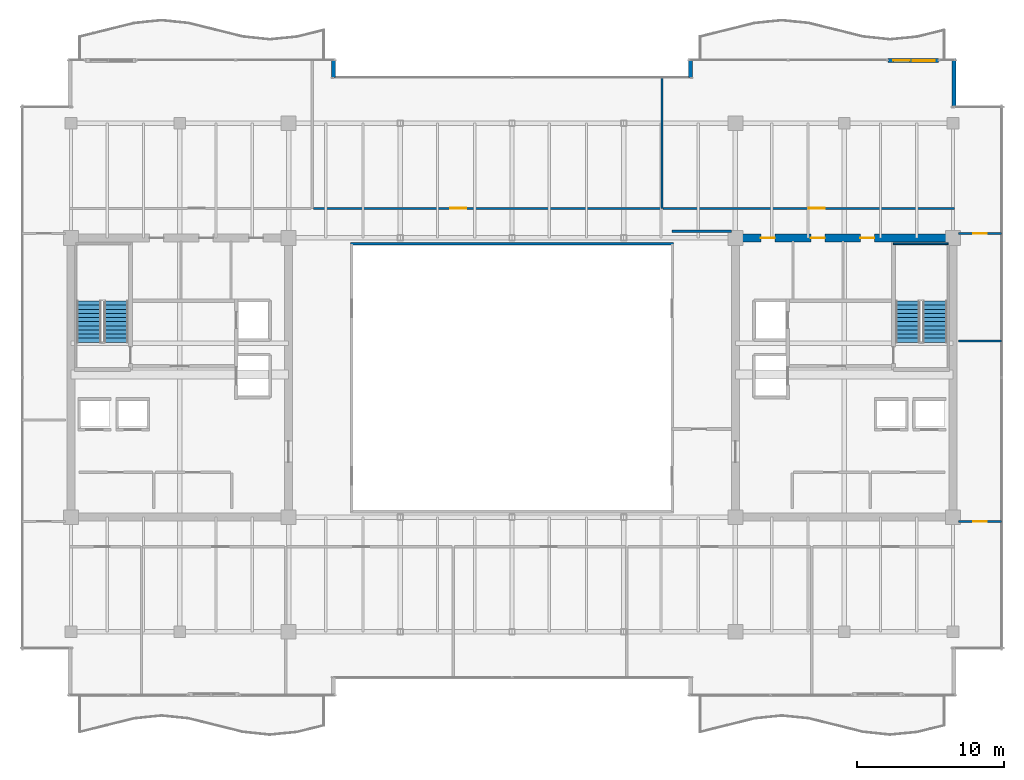
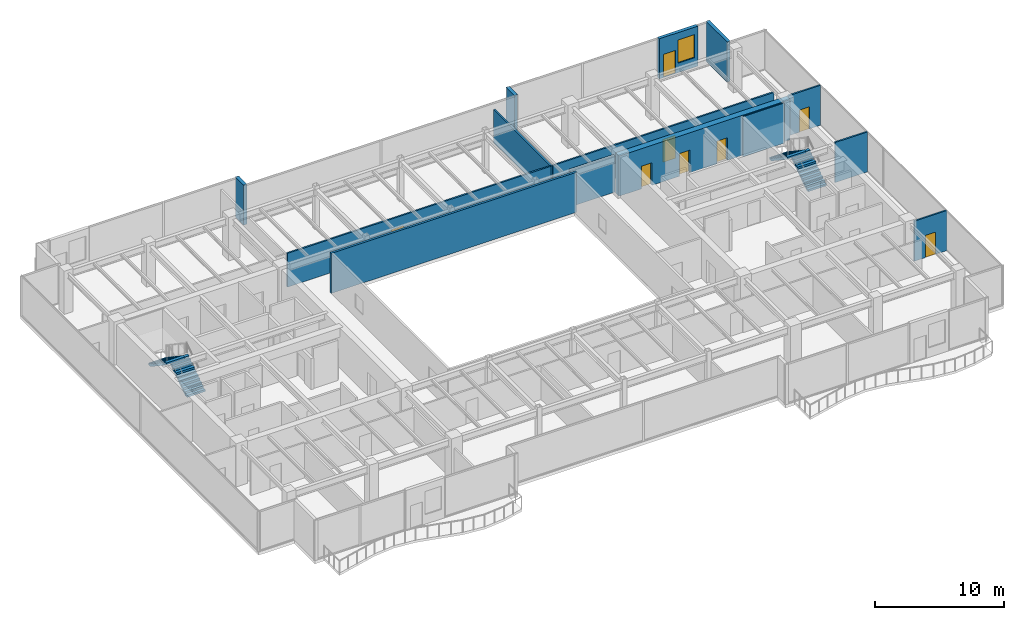
# One storey, part 31 of 34: 14 walls, 8 doors, 4 stair flights, 1 window, 9 openings, 2 elements without a shape of their own.
"""IFC4 building model written with IfcOpenShell, lengths in metres."""

from ifc_helpers import new_model, si_unit, direction, frame, frame_2d, origin, place, context, subcontext, project, spatial, polyline, rectangle, outline, extrude, source, transform, mapped, material, layer, layer_set, type_object, type_shapes, element, fill, aggregate, save


model = new_model("IFC4")

# Units and contexts
model_context = context("Model", 3, precision=1e-05, world=origin(), true_north=direction((0.0, 1.0)))
body_context = subcontext(model_context, "Body", "Model", "MODEL_VIEW")
ifc_project = project(units=[si_unit("LENGTHUNIT", "METRE"), si_unit("AREAUNIT", "SQUARE_METRE"), si_unit("VOLUMEUNIT", "CUBIC_METRE"), si_unit("PLANEANGLEUNIT", "RADIAN"), si_unit("MASSUNIT", "GRAM", prefix="KILO")], contexts=[model_context])

# Site, building, storey
site_placement = place(None, origin())
site = spatial("IfcSite", under=ifc_project, at=site_placement, CompositionType="ELEMENT")
building_placement = place(site_placement, origin())
building = spatial("IfcBuilding", under=site, at=building_placement, Name="Haelvirn Gate Laboratories", CompositionType="ELEMENT")
storey_placement = place(building_placement, frame((0.0, 0.0, 205.5)))
storey = spatial("IfcBuildingStorey", under=building, at=storey_placement, Name="L49", CompositionType="ELEMENT", Elevation=205.5)

# Wall, openings, door, window
ifc_material_1 = material(Name="Thermally-broken bronze aluminium rainscreen & mineral wool", Category="aluminium")
ifc_layer_1 = layer(ifc_material_1, 0.280029296875, Name="EW-TERR-280")
ifc_layer_set_1 = layer_set([ifc_layer_1], Name="Thermally-broken bronze aluminium rainscreen & mineral wool")
wall_type_1 = type_object("IfcWallType", Name="EW-TERR-280", PredefinedType="STANDARD", material=ifc_layer_set_1)
wall_1_placement = place(storey_placement, frame((62.971923828125, 45.860107421875, 0.0), z_axis=(0.0, 0.0, 1.0), x_axis=(1.0, 0.0, 0.0)))
wall_1 = element("IfcWall", 1, at=wall_1_placement, inside=storey, type_object=wall_type_1, Name="L49 Terrace Access Wall WB-EL-N", PredefinedType="STANDARD", context=body_context, shape_type="SweptSolid", body=[
    extrude(rectangle(XDim=3.4560546875, YDim=0.280029296875, at=frame_2d((1.72802734375, 0.0))), origin(), (0.0, 0.0, 1.0), 3.800048828125),
])
opening_1_placement = place(wall_1_placement, frame((0.3779296875, 0.0, 0.0)))
opening_1 = element("IfcOpeningElement", 2, at=opening_1_placement, cuts=wall_1, Name="Opening TD1", PredefinedType="OPENING", context=body_context, shape_type="SweptSolid", body=[
    extrude(rectangle(XDim=1.10009765625, YDim=2.199951171875, at=frame_2d((0.550048828125, 1.10009765625))), frame((0.0, 0.14990234375, 0.0), z_axis=(0.0, -1.0, 0.0), x_axis=(1.0, 0.0, 0.0)), (0.0, 0.0, 1.0), 0.300048828125),
])
opening_2_placement = place(wall_1_placement, frame((1.677978515625, 0.0, 0.89990234375)))
opening_2 = element("IfcOpeningElement", 3, at=opening_2_placement, cuts=wall_1, Name="Opening W3", PredefinedType="OPENING", context=body_context, shape_type="SweptSolid", body=[
    extrude(rectangle(XDim=1.5, YDim=2.199951171875, at=frame_2d((0.75, 1.10009765625))), frame((0.0, 0.14990234375, 0.0), z_axis=(0.0, -1.0, 0.0), x_axis=(1.0, 0.0, 0.0)), (0.0, 0.0, 1.0), 0.300048828125),
])
ifc_material_2 = material(Name="Thermally-broken bronze aluminium glazed terrace door", Category="aluminium")
door_type_1 = type_object("IfcDoorType", Name="DR-TERR-1100", OperationType="NOTDEFINED", PredefinedType="DOOR", material=ifc_material_2)
shared_shape_1 = source(origin(), body_context, "Body", "SweptSolid", [
    extrude(rectangle(XDim=1.10009765625, YDim=2.199951171875, at=frame_2d((0.550048828125, 1.10009765625))), frame((0.0, 0.02490234375, 0.0), z_axis=(0.0, -1.0, 0.0), x_axis=(1.0, 0.0, 0.0)), (0.0, 0.0, 1.0), 0.050048828125),
])
type_shapes(door_type_1, [shared_shape_1])
door_1_placement = place(opening_1_placement, origin())
door_1 = element("IfcDoor", 4, at=door_1_placement, inside=storey, type_object=door_type_1, Name="L49 Terrace Access Door WB-EL-N", OperationType="SINGLE_SWING_RIGHT", OverallHeight=2.199951171875, OverallWidth=1.10009765625, PredefinedType="DOOR", context=body_context, shape_type="MappedRepresentation", body=[
    mapped(shared_shape_1, transform((0.0, 0.0, 0.0), scale=1.0)),
])
fill(opening_1, door_1)
ifc_material_3 = material(Name="Bronze anodised aluminium & triple low-E glass", Category="aluminium")
window_type = type_object("IfcWindowType", Name="WIN-TERR-1600", PartitioningType="SINGLE_PANEL", PredefinedType="WINDOW", material=ifc_material_3)
shared_shape_2 = source(origin(), body_context, "Body", "SweptSolid", [
    extrude(rectangle(XDim=1.5, YDim=2.199951171875, at=frame_2d((0.75, 1.10009765625))), frame((0.0, 0.030029296875, 0.0), z_axis=(0.0, -1.0, 0.0), x_axis=(1.0, 0.0, 0.0)), (0.0, 0.0, 1.0), 0.06005859375),
])
type_shapes(window_type, [shared_shape_2])
window_placement = place(opening_2_placement, origin())
window = element("IfcWindow", 5, at=window_placement, inside=storey, type_object=window_type, Name="L49 Terrace Vision Window WB-EL-N", OverallHeight=2.199951171875, OverallWidth=1.5, PartitioningType="SINGLE_PANEL", PredefinedType="WINDOW", context=body_context, shape_type="MappedRepresentation", body=[
    mapped(shared_shape_2, transform((0.0, 0.0, 0.0), scale=1.0)),
])
fill(opening_2, window)

# Walls
wall_2_placement = place(storey_placement, frame((67.4599609375, 42.7119140625, 0.0), z_axis=(0.0, 0.0, 1.0), x_axis=(0.0, 1.0, 0.0)))
element("IfcWall", 6, at=wall_2_placement, inside=storey, type_object=wall_type_1, Name="L49 Atrium Recess Bronze Return Wall 09", PredefinedType="STANDARD", context=body_context, shape_type="SweptSolid", body=[
    extrude(rectangle(XDim=3.2880859375, YDim=0.280029296875, at=frame_2d((1.64404296875, 0.0))), origin(), (0.0, 0.0, 1.0), 3.800048828125),
])
for number, where, z_axis, x_axis, name in (
    (7, (49.5400390625, 46.0, 0.0), (0.0, 0.0, 1.0), (0.0, -1.0, 0.0), "L49 Atrium Recess Bronze Return Wall 11"),
    (8, (25.260009765625, 44.70703125, 0.0), (0.0, 0.0, 1.0), (0.0, 1.0, 0.0), "L49 Atrium Recess Bronze Return Wall 13"),
):
    element("IfcWall", number, at=place(storey_placement, frame(where, z_axis=z_axis, x_axis=x_axis)), inside=storey, type_object=wall_type_1, Name=name, PredefinedType="STANDARD", context=body_context, shape_type="SweptSolid", body=[
        extrude(rectangle(XDim=1.29296875, YDim=0.280029296875, at=frame_2d((0.646484375, 0.0))), origin(), (0.0, 0.0, 1.0), 3.800048828125),
    ])
ifc_material_4 = material(Name="Double-layer acoustic gypsum laboratory partition", Category="gypsum")
ifc_layer_2 = layer(ifc_material_4, 0.159912109375, Name="IW-ACOUST-160")
ifc_layer_set_2 = layer_set([ifc_layer_2], Name="Double-layer acoustic gypsum laboratory partition")
wall_type_2 = type_object("IfcWallType", Name="IW-ACOUST-160", PredefinedType="PARTITIONING", material=ifc_layer_set_2)
wall_3_placement = place(storey_placement, frame((47.60009765625, 35.81005859375, 0.0), z_axis=(0.0, 0.0, 1.0), x_axis=(0.0, 1.0, 0.0)))
element("IfcWall", 9, at=wall_3_placement, inside=storey, type_object=wall_type_2, Name="L49 Interior Wall IW-L49-NDIV-02", PredefinedType="PARTITIONING", context=body_context, shape_type="SweptSolid", body=[
    extrude(rectangle(XDim=8.8798828125, YDim=0.159912109375, at=frame_2d((4.43994140625, 0.0))), origin(), (0.0, 0.0, 1.0), 3.135009765625),
])
ifc_material_5 = material(Name="Fire-rated acoustic gypsum board partition", Category="gypsum")
ifc_layer_3 = layer(ifc_material_5, 0.175048828125, Name="IW-ACOUST-180")
ifc_layer_set_3 = layer_set([ifc_layer_3], Name="Fire-rated acoustic gypsum board partition")
wall_type_3 = type_object("IfcWallType", Name="IW-ACOUST-180", PredefinedType="PARTITIONING", material=ifc_layer_set_3)
wall_4_placement = place(storey_placement, frame((48.300048828125, 34.260009765625, 0.0), z_axis=(0.0, 0.0, 1.0), x_axis=(1.0, 0.0, 0.0)))
element("IfcWall", 10, at=wall_4_placement, inside=storey, type_object=wall_type_3, Name="L49 Interior Wall IW-L49-EPOD-N", PredefinedType="PARTITIONING", context=body_context, shape_type="SweptSolid", body=[
    extrude(rectangle(XDim=4.02490234375, YDim=0.175048828125, at=frame_2d((2.012451171875, 0.0))), origin(), (0.0, 0.0, 1.0), 3.485107421875),
])
ifc_material_6 = material(Name="Tempered fire-rated borosilicate glass & anodised aluminium", Category="aluminium")
ifc_layer_4 = layer(ifc_material_6, 0.195068359375, Name="IW-GLAZ-200")
ifc_layer_set_4 = layer_set([ifc_layer_4], Name="Tempered fire-rated borosilicate glass & anodised aluminium")
wall_type_4 = type_object("IfcWallType", Name="IW-GLAZ-200", PredefinedType="SOLIDWALL", material=ifc_layer_set_4)
wall_5_placement = place(storey_placement, frame((26.39990234375, 33.39990234375, 0.0), z_axis=(0.0, 0.0, 1.0), x_axis=(1.0, 0.0, 0.0)))
element("IfcWall", 11, at=wall_5_placement, inside=storey, type_object=wall_type_4, Name="L49 Interior Wall IW-L49-ATRIUM-N", PredefinedType="SOLIDWALL", context=body_context, shape_type="SweptSolid", body=[
    extrude(rectangle(XDim=22.0, YDim=0.195068359375, at=frame_2d((11.0, 0.0))), origin(), (0.0, 0.0, 1.0), 3.800048828125),
])

# Wall, opening, door
ifc_material_7 = material(Name="Acoustic mineral-wool gypsum board partition", Category="gypsum")
ifc_layer_5 = layer(ifc_material_7, 0.139892578125, Name="IW-PART-140")
ifc_layer_set_5 = layer_set([ifc_layer_5], Name="Acoustic mineral-wool gypsum board partition")
wall_type_5 = type_object("IfcWallType", Name="IW-PART-140", PredefinedType="PARTITIONING", material=ifc_layer_set_5)
wall_6_placement = place(storey_placement, frame((23.8798828125, 35.81005859375, 0.0), z_axis=(0.0, 0.0, 1.0), x_axis=(1.0, 0.0, 0.0)))
wall_6 = element("IfcWall", 12, at=wall_6_placement, inside=storey, type_object=wall_type_5, Name="L49 Interior Wall IW-L49-NCORR-02", PredefinedType="PARTITIONING", context=body_context, shape_type="SweptSolid", body=[
    extrude(rectangle(XDim=23.64013671875, YDim=0.139892578125, at=frame_2d((11.820068359375, 0.0))), origin(), (0.0, 0.0, 1.0), 3.197021484375),
])
opening_3_placement = place(wall_6_placement, frame((9.304443359375, 0.0, 0.0)))
opening_3 = element("IfcOpeningElement", 13, at=opening_3_placement, cuts=wall_6, Name="Opening D1", PredefinedType="OPENING", context=body_context, shape_type="SweptSolid", body=[
    extrude(rectangle(XDim=1.10009765625, YDim=2.179931640625, at=frame_2d((0.550048828125, 1.08984375))), frame((0.0, 0.080078125, 0.0), z_axis=(0.0, -1.0, 0.0), x_axis=(1.0, 0.0, 0.0)), (0.0, 0.0, 1.0), 0.159912109375),
])
ifc_material_8 = material(Name="Vision-panel acoustic solid-core timber lab door", Category="wood")
door_type_2 = type_object("IfcDoorType", Name="DR-LAB-1100", OperationType="NOTDEFINED", PredefinedType="DOOR", material=ifc_material_8)
shared_shape_3 = source(origin(), body_context, "Body", "SweptSolid", [
    extrude(rectangle(XDim=1.10009765625, YDim=2.179931640625, at=frame_2d((0.550048828125, 1.08984375))), frame((0.0, 0.02490234375, 0.0), z_axis=(0.0, -1.0, 0.0), x_axis=(1.0, 0.0, 0.0)), (0.0, 0.0, 1.0), 0.050048828125),
])
type_shapes(door_type_2, [shared_shape_3])
door_2_placement = place(opening_3_placement, origin())
door_2 = element("IfcDoor", 14, at=door_2_placement, inside=storey, type_object=door_type_2, Name="L49 Researcher Break Pantry Door N2", OperationType="SINGLE_SWING_RIGHT", OverallHeight=2.179931640625, OverallWidth=1.10009765625, PredefinedType="DOOR", context=body_context, shape_type="MappedRepresentation", body=[
    mapped(shared_shape_3, transform((0.0, 0.0, 0.0), scale=1.0)),
])
fill(opening_3, door_2)

wall_7_placement = place(storey_placement, frame((47.679931640625, 35.81005859375, 0.0), z_axis=(0.0, 0.0, 1.0), x_axis=(1.0, 0.0, 0.0)))
wall_7 = element("IfcWall", 15, at=wall_7_placement, inside=storey, type_object=wall_type_5, Name="L49 Interior Wall IW-L49-NCORR-03", PredefinedType="PARTITIONING", context=body_context, shape_type="SweptSolid", body=[
    extrude(rectangle(XDim=19.81005859375, YDim=0.139892578125, at=frame_2d((9.905029296875, 0.0))), origin(), (0.0, 0.0, 1.0), 3.197021484375),
])
opening_4_placement = place(wall_7_placement, frame((9.895263671875, 0.0, 0.0)))
opening_4 = element("IfcOpeningElement", 16, at=opening_4_placement, cuts=wall_7, Name="Opening D1", PredefinedType="OPENING", context=body_context, shape_type="SweptSolid", body=[
    extrude(rectangle(XDim=1.10009765625, YDim=2.179931640625, at=frame_2d((0.550048828125, 1.08984375))), frame((0.0, 0.080078125, 0.0), z_axis=(0.0, -1.0, 0.0), x_axis=(1.0, 0.0, 0.0)), (0.0, 0.0, 1.0), 0.159912109375),
])
door_3_placement = place(opening_4_placement, origin())
door_3 = element("IfcDoor", 17, at=door_3_placement, inside=storey, type_object=door_type_2, Name="L49 Laser-Safety Consult Room Door N3", OperationType="SINGLE_SWING_LEFT", OverallHeight=2.179931640625, OverallWidth=1.10009765625, PredefinedType="DOOR", context=body_context, shape_type="MappedRepresentation", body=[
    mapped(shared_shape_3, transform((0.0, 0.0, 0.0), scale=1.0)),
])
fill(opening_4, door_3)

# Wall
wall_8_placement = place(storey_placement, frame((67.780029296875, 26.800048828125, 0.0), z_axis=(0.0, 0.0, 1.0), x_axis=(1.0, 0.0, 0.0)))
element("IfcWall", 18, at=wall_8_placement, inside=storey, type_object=wall_type_5, Name="L49 Interior Wall IW-L49-EZ3-MID", PredefinedType="PARTITIONING", context=body_context, shape_type="SweptSolid", body=[
    extrude(rectangle(XDim=2.909912109375, YDim=0.139892578125, at=frame_2d((1.455078125, 0.0))), origin(), (0.0, 0.0, 1.0), 3.800048828125),
])

# Wall, opening, door
wall_9_placement = place(storey_placement, frame((67.780029296875, 14.5048828125, 0.0), z_axis=(0.0, 0.0, 1.0), x_axis=(1.0, 0.0, 0.0)))
wall_9 = element("IfcWall", 19, at=wall_9_placement, inside=storey, type_object=wall_type_5, Name="L49 Interior Wall IW-L49-EZ3-ENT-S", PredefinedType="PARTITIONING", context=body_context, shape_type="SweptSolid", body=[
    extrude(rectangle(XDim=2.909912109375, YDim=0.139892578125, at=frame_2d((1.455078125, 0.0))), origin(), (0.0, 0.0, 1.0), 3.800048828125),
])
opening_5_placement = place(wall_9_placement, frame((1.0048828125, 0.0, 0.0)))
opening_5 = element("IfcOpeningElement", 20, at=opening_5_placement, cuts=wall_9, Name="Opening D4", PredefinedType="OPENING", context=body_context, shape_type="SweptSolid", body=[
    extrude(rectangle(XDim=0.89990234375, YDim=2.10009765625, at=frame_2d((0.449951171875, 1.050048828125))), frame((0.0, 0.080078125, 0.0), z_axis=(0.0, -1.0, 0.0), x_axis=(1.0, 0.0, 0.0)), (0.0, 0.0, 1.0), 0.159912109375),
])
ifc_material_9 = material(Name="Glazed aluminium-framed write-up door", Category="aluminium")
door_type_3 = type_object("IfcDoorType", Name="DR-OFF-900", OperationType="NOTDEFINED", PredefinedType="DOOR", material=ifc_material_9)
shared_shape_4 = source(origin(), body_context, "Body", "SweptSolid", [
    extrude(rectangle(XDim=0.89990234375, YDim=2.10009765625, at=frame_2d((0.449951171875, 1.050048828125))), frame((0.0, 0.02490234375, 0.0), z_axis=(0.0, -1.0, 0.0), x_axis=(1.0, 0.0, 0.0)), (0.0, 0.0, 1.0), 0.050048828125),
])
type_shapes(door_type_3, [shared_shape_4])
door_4_placement = place(opening_5_placement, origin())
door_4 = element("IfcDoor", 21, at=door_4_placement, inside=storey, type_object=door_type_3, Name="L49 Translational Data Office Door E-S", OperationType="SINGLE_SWING_LEFT", OverallHeight=2.10009765625, OverallWidth=0.89990234375, PredefinedType="DOOR", context=body_context, shape_type="MappedRepresentation", body=[
    mapped(shared_shape_4, transform((0.0, 0.0, 0.0), scale=1.0)),
])
fill(opening_5, door_4)

wall_10_placement = place(storey_placement, frame((67.780029296875, 34.094970703125, 0.0), z_axis=(0.0, 0.0, 1.0), x_axis=(1.0, 0.0, 0.0)))
wall_10 = element("IfcWall", 22, at=wall_10_placement, inside=storey, type_object=wall_type_5, Name="L49 Interior Wall IW-L49-EZ3-ENT-N", PredefinedType="PARTITIONING", context=body_context, shape_type="SweptSolid", body=[
    extrude(rectangle(XDim=2.909912109375, YDim=0.139892578125, at=frame_2d((1.455078125, 0.0))), origin(), (0.0, 0.0, 1.0), 3.800048828125),
])
opening_6_placement = place(wall_10_placement, frame((1.0048828125, 0.0, 0.0)))
opening_6 = element("IfcOpeningElement", 23, at=opening_6_placement, cuts=wall_10, Name="Opening D4", PredefinedType="OPENING", context=body_context, shape_type="SweptSolid", body=[
    extrude(rectangle(XDim=0.89990234375, YDim=2.10009765625, at=frame_2d((0.449951171875, 1.050048828125))), frame((0.0, 0.080078125, 0.0), z_axis=(0.0, -1.0, 0.0), x_axis=(1.0, 0.0, 0.0)), (0.0, 0.0, 1.0), 0.159912109375),
])
door_5_placement = place(opening_6_placement, origin())
door_5 = element("IfcDoor", 24, at=door_5_placement, inside=storey, type_object=door_type_3, Name="L49 Proteomics Mass-Spec Laboratory Door E-N", OperationType="SINGLE_SWING_RIGHT", OverallHeight=2.10009765625, OverallWidth=0.89990234375, PredefinedType="DOOR", context=body_context, shape_type="MappedRepresentation", body=[
    mapped(shared_shape_4, transform((0.0, 0.0, 0.0), scale=1.0)),
])
fill(opening_6, door_5)

# Wall, openings, doors
ifc_material_10 = material(Name="Concrete C50/60", Category="concrete")
ifc_layer_6 = layer(ifc_material_10, 0.550048828125, Name="SW-CORE-550")
ifc_layer_set_6 = layer_set([ifc_layer_6], Name="Concrete C50/60")
wall_type_6 = type_object("IfcWallType", Name="SW-CORE-550", PredefinedType="SHEAR", material=ifc_layer_set_6)
wall_11_placement = place(storey_placement, frame((52.324951171875, 33.800048828125, 0.0), z_axis=(0.0, 0.0, 1.0), x_axis=(1.0, 0.0, 0.0)))
wall_11 = element("IfcWall", 25, at=wall_11_placement, inside=storey, type_object=wall_type_6, Name="L49 E Core Shear Wall N", PredefinedType="SHEAR", context=body_context, shape_type="SweptSolid", body=[
    extrude(rectangle(XDim=15.35009765625, YDim=0.550048828125, at=frame_2d((7.675048828125, 0.0))), origin(), (0.0, 0.0, 1.0), 3.800048828125),
])
opening_7_placement = place(wall_11_placement, frame((8.77490234375, 0.0, 0.0)))
opening_7 = element("IfcOpeningElement", 26, at=opening_7_placement, cuts=wall_11, Name="Opening FD4", PredefinedType="OPENING", context=body_context, shape_type="SweptSolid", body=[
    extrude(rectangle(XDim=0.949951171875, YDim=2.14990234375, at=frame_2d((0.47509765625, 1.074951171875))), frame((0.0, 0.28515625, 0.0), z_axis=(0.0, -1.0, 0.0), x_axis=(1.0, 0.0, 0.0)), (0.0, 0.0, 1.0), 0.570068359375),
])
opening_8_placement = place(wall_11_placement, frame((5.409912109375, 0.0, 0.0)))
opening_8 = element("IfcOpeningElement", 27, at=opening_8_placement, cuts=wall_11, Name="Opening FD4", PredefinedType="OPENING", context=body_context, shape_type="SweptSolid", body=[
    extrude(rectangle(XDim=0.949951171875, YDim=2.14990234375, at=frame_2d((0.47509765625, 1.074951171875))), frame((0.0, 0.28515625, 0.0), z_axis=(0.0, -1.0, 0.0), x_axis=(1.0, 0.0, 0.0)), (0.0, 0.0, 1.0), 0.570068359375),
])
opening_9_placement = place(wall_11_placement, frame((2.010009765625, 0.0, 0.0)))
opening_9 = element("IfcOpeningElement", 28, at=opening_9_placement, cuts=wall_11, Name="Opening FD4", PredefinedType="OPENING", context=body_context, shape_type="SweptSolid", body=[
    extrude(rectangle(XDim=0.949951171875, YDim=2.14990234375, at=frame_2d((0.47509765625, 1.074951171875))), frame((0.0, 0.28515625, 0.0), z_axis=(0.0, -1.0, 0.0), x_axis=(1.0, 0.0, 0.0)), (0.0, 0.0, 1.0), 0.570068359375),
])
ifc_material_11 = material(Name="Fire-rated steel SM355 core service door", Category="steel")
door_type_4 = type_object("IfcDoorType", Name="DR-FD-950", OperationType="NOTDEFINED", PredefinedType="DOOR", material=ifc_material_11)
shared_shape_5 = source(origin(), body_context, "Body", "SweptSolid", [
    extrude(rectangle(XDim=0.949951171875, YDim=2.14990234375, at=frame_2d((0.47509765625, 1.074951171875))), frame((0.0, 0.02490234375, 0.0), z_axis=(0.0, -1.0, 0.0), x_axis=(1.0, 0.0, 0.0)), (0.0, 0.0, 1.0), 0.050048828125),
])
type_shapes(door_type_4, [shared_shape_5])
door_6_placement = place(opening_7_placement, origin())
door_6 = element("IfcDoor", 29, at=door_6_placement, inside=storey, type_object=door_type_4, Name="L49 Male Restroom Fire Door", OperationType="SINGLE_SWING_RIGHT", OverallHeight=2.14990234375, OverallWidth=0.949951171875, PredefinedType="DOOR", context=body_context, shape_type="MappedRepresentation", body=[
    mapped(shared_shape_5, transform((0.0, 0.0, 0.0), scale=1.0)),
])
fill(opening_7, door_6)
door_7_placement = place(opening_8_placement, origin())
door_7 = element("IfcDoor", 30, at=door_7_placement, inside=storey, type_object=door_type_4, Name="L49 Female Restroom Fire Door", OperationType="SINGLE_SWING_LEFT", OverallHeight=2.14990234375, OverallWidth=0.949951171875, PredefinedType="DOOR", context=body_context, shape_type="MappedRepresentation", body=[
    mapped(shared_shape_5, transform((0.0, 0.0, 0.0), scale=1.0)),
])
fill(opening_8, door_7)
door_8_placement = place(opening_9_placement, origin())
door_8 = element("IfcDoor", 31, at=door_8_placement, inside=storey, type_object=door_type_4, Name="L49 Accessible Restroom Fire Door", OperationType="SINGLE_SWING_RIGHT", OverallHeight=2.14990234375, OverallWidth=0.949951171875, PredefinedType="DOOR", context=body_context, shape_type="MappedRepresentation", body=[
    mapped(shared_shape_5, transform((0.0, 0.0, 0.0), scale=1.0)),
])
fill(opening_9, door_8)

# Wall
ifc_layer_7 = layer(ifc_material_10, 0.1201171875, Name="SW-LINER-120")
ifc_layer_set_7 = layer_set([ifc_layer_7], Name="Concrete C50/60")
wall_type_7 = type_object("IfcWallType", Name="SW-LINER-120", PredefinedType="SOLIDWALL", material=ifc_layer_set_7)
wall_12_placement = place(storey_placement, frame((63.35009765625, 33.39990234375, 0.0), z_axis=(0.0, 0.0, 1.0), x_axis=(1.0, 0.0, 0.0)))
element("IfcWall", 32, at=wall_12_placement, inside=storey, type_object=wall_type_7, Name="L49 E Core Stair Shaft Liner Wall N", PredefinedType="SOLIDWALL", context=body_context, shape_type="SweptSolid", body=[
    extrude(rectangle(XDim=3.719970703125, YDim=0.1201171875, at=frame_2d((1.85986328125, 0.0))), origin(), (0.0, 0.0, 1.0), 3.800048828125),
])

# Stair, stair flights
ifc_material_12 = material(Name="Concrete C40/50", Category="concrete")
stair_type = type_object("IfcStairType", Name="ST-DOG-1650-R22", PredefinedType="HALF_TURN_STAIR", material=ifc_material_12)
stair_1_placement = place(storey_placement, origin())
stair_1 = element("IfcStair", 33, at=stair_1_placement, inside=storey, type_object=stair_type, Name="L49 Escape Stair ST1", PredefinedType="HALF_TURN_STAIR")
stair_flight_type = type_object("IfcStairFlightType", Name="STF-1650-R11", PredefinedType="STRAIGHT", material=ifc_material_12)
shared_shape_6 = source(origin(), body_context, "Body", "SweptSolid", [
    extrude(outline(polyline([(0.0, 0.0), (0.0, 0.186279296875), (0.280029296875, 0.186279296875), (0.280029296875, 0.372802734375), (0.56005859375, 0.372802734375), (0.56005859375, 0.55908203125), (0.840087890625, 0.55908203125), (0.840087890625, 0.745361328125), (1.1201171875, 0.745361328125), (1.1201171875, 0.931884765625), (1.39990234375, 0.931884765625), (1.39990234375, 1.1181640625), (1.679931640625, 1.1181640625), (1.679931640625, 1.304443359375), (1.9599609375, 1.304443359375), (1.9599609375, 1.490966796875), (2.239990234375, 1.490966796875), (2.239990234375, 1.67724609375), (2.52001953125, 1.67724609375), (2.52001953125, 1.863525390625), (2.800048828125, 1.863525390625), (2.800048828125, 2.050048828125), (2.800048828125, 1.671630859375), (0.28857421875, 0.0), (0.0, 0.0)])), frame((0.0, 0.824951171875, 0.0), z_axis=(0.0, -1.0, 0.0), x_axis=(1.0, 0.0, 0.0)), (0.0, 0.0, 1.0), 1.64990234375),
])
type_shapes(stair_flight_type, [shared_shape_6])
stair_flight_1_placement = place(storey_placement, frame((10.47509765625, 26.699951171875, 0.0), z_axis=(0.0, 0.0, 1.0), x_axis=(0.0, 1.0, 0.0)))
stair_flight_1 = element("IfcStairFlight", 34, at=stair_flight_1_placement, type_object=stair_flight_type, Name="ST1 flight 1", NumberOfRisers=11, NumberOfTreads=10, PredefinedType="STRAIGHT", RiserHeight=0.186363636, TreadLength=0.28, context=body_context, shape_type="MappedRepresentation", body=[
    mapped(shared_shape_6, transform((0.0, 0.0, 0.0), scale=1.0)),
])
stair_flight_2_placement = place(storey_placement, frame((8.625, 29.5, 2.050048828125), z_axis=(0.0, 0.0, 1.0), x_axis=(0.0, -1.0, 0.0)))
stair_flight_2 = element("IfcStairFlight", 35, at=stair_flight_2_placement, type_object=stair_flight_type, Name="ST1 flight 2", NumberOfRisers=11, NumberOfTreads=10, PredefinedType="STRAIGHT", RiserHeight=0.186363636, TreadLength=0.28, context=body_context, shape_type="MappedRepresentation", body=[
    mapped(shared_shape_6, transform((0.0, 0.0, 0.0), scale=1.0)),
])
aggregate(stair_1, [stair_flight_1, stair_flight_2])

stair_2_placement = place(storey_placement, origin())
stair_2 = element("IfcStair", 36, at=stair_2_placement, inside=storey, type_object=stair_type, Name="L49 Escape Stair ST2", PredefinedType="HALF_TURN_STAIR")
stair_flight_3_placement = place(storey_placement, frame((66.175048828125, 26.699951171875, 0.0), z_axis=(0.0, 0.0, 1.0), x_axis=(0.0, 1.0, 0.0)))
stair_flight_3 = element("IfcStairFlight", 37, at=stair_flight_3_placement, type_object=stair_flight_type, Name="ST2 flight 1", NumberOfRisers=11, NumberOfTreads=10, PredefinedType="STRAIGHT", RiserHeight=0.186363636, TreadLength=0.28, context=body_context, shape_type="MappedRepresentation", body=[
    mapped(shared_shape_6, transform((0.0, 0.0, 0.0), scale=1.0)),
])
stair_flight_4_placement = place(storey_placement, frame((64.324951171875, 29.5, 2.050048828125), z_axis=(0.0, 0.0, 1.0), x_axis=(0.0, -1.0, 0.0)))
stair_flight_4 = element("IfcStairFlight", 38, at=stair_flight_4_placement, type_object=stair_flight_type, Name="ST2 flight 2", NumberOfRisers=11, NumberOfTreads=10, PredefinedType="STRAIGHT", RiserHeight=0.186363636, TreadLength=0.28, context=body_context, shape_type="MappedRepresentation", body=[
    mapped(shared_shape_6, transform((0.0, 0.0, 0.0), scale=1.0)),
])
aggregate(stair_2, [stair_flight_3, stair_flight_4])

save(model, "model.ifc")
